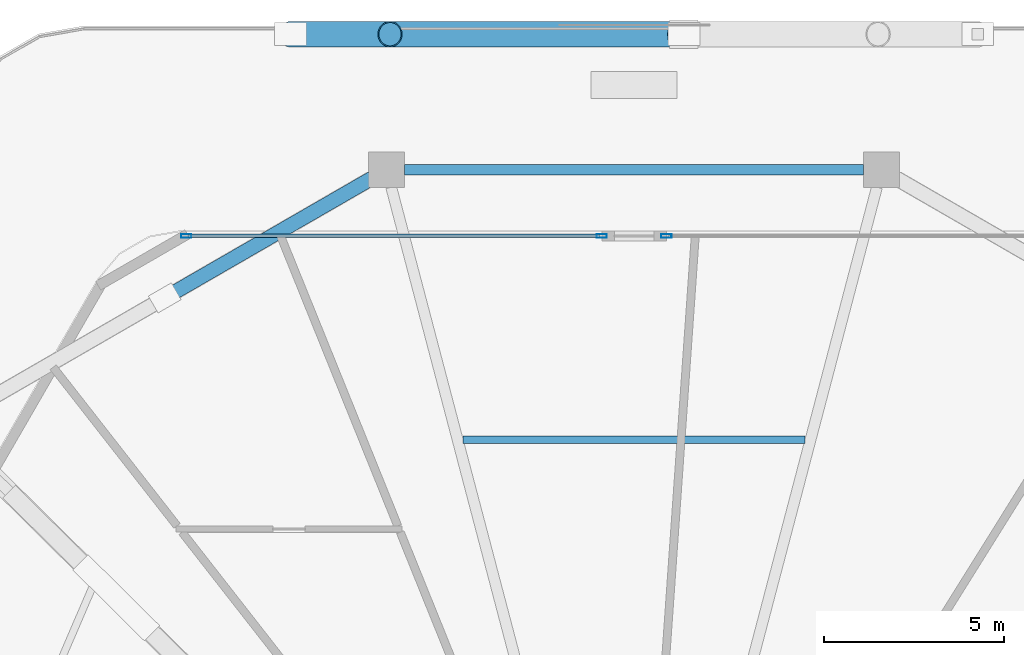
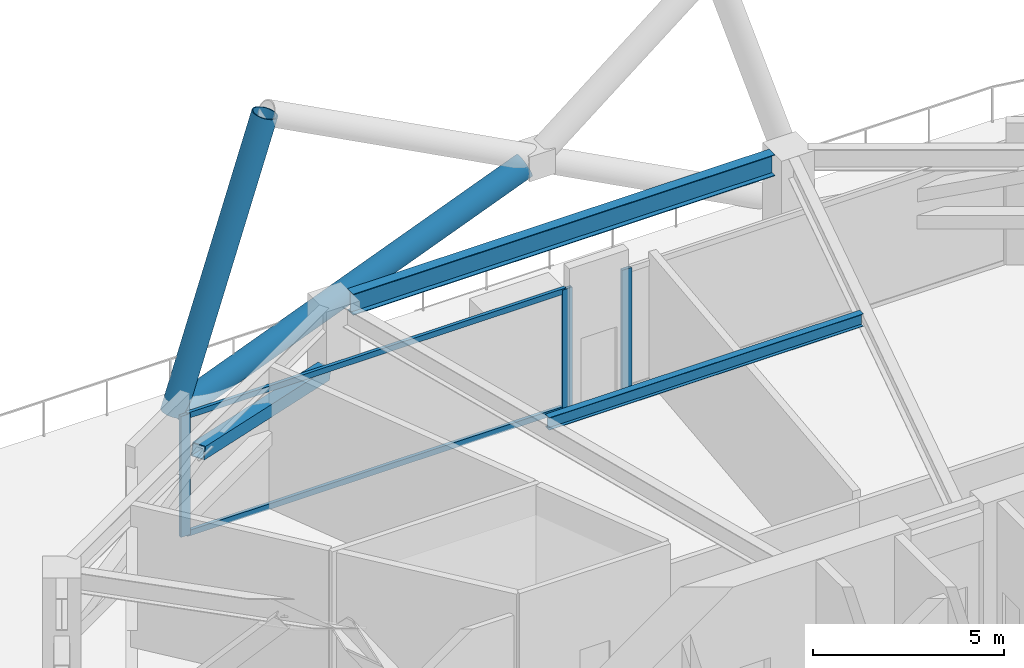
# One storey, part 8 of 20: 8 members, 2 beams, 2 elements without a shape of their own.
"""IFC4 building model written with IfcOpenShell, lengths in metres."""

import ifcopenshell
import ifcopenshell.guid

model = None  # the IFC model being written
_history = None  # IfcOwnerHistory: only IFC2X3 demands one
_inside = {}  # id of a spatial element -> (the spatial element, [elements in it])
_under = {}  # id of a project, library or spatial element -> (it, [spatial elements below it])
_declared = {}  # id of a project -> (the project, [libraries it declares])
_typed = {}  # id of a type object -> (the type object, [elements of that type])
_made_of = {}  # id of a material, layer set ... -> (it, [elements and type objects made of it])


def new_model(schema):
    """Start an empty IFC model of exactly this schema.

    Asked for "IFC4X3", IfcOpenShell would pick the latest addendum, in which some entities
    have other attributes; the version numbers below select the first issue.
    IFC2X3 requires an IfcOwnerHistory on every rooted entity: one is made here for all.
    """
    global model, _history
    if schema == "IFC4X3":
        model = ifcopenshell.file(schema_version=(4, 3, 0, 0))
    else:
        model = ifcopenshell.file(schema=schema)
    _inside.clear()
    _under.clear()
    _declared.clear()
    _typed.clear()
    _made_of.clear()
    _history = None
    if model.schema == "IFC2X3":
        org = make("IfcOrganization", Name="unknown")
        user = make(
            "IfcPersonAndOrganization",
            ThePerson=make("IfcPerson", FamilyName="unknown"),
            TheOrganization=org,
        )
        app = make(
            "IfcApplication",
            ApplicationDeveloper=org,
            Version="unknown",
            ApplicationFullName="unknown",
            ApplicationIdentifier="unknown",
        )
        _history = make(
            "IfcOwnerHistory",
            OwningUser=user,
            OwningApplication=app,
            ChangeAction="ADDED",
            CreationDate=0,
        )
    return model


def make(cls, **values):
    """One entity of the class cls with the attributes given. An attribute that is None is left unset."""
    return model.create_entity(
        cls, **{name: value for name, value in values.items() if value is not None}
    )


def rooted(cls, **values):
    """An entity with a GlobalId (a new one), such as an element, a storey or a relation."""
    return make(cls, GlobalId=ifcopenshell.guid.new(), OwnerHistory=_history, **values)


def si_unit(unit_type, name, prefix=None):
    """IfcSIUnit, for example si_unit("LENGTHUNIT", "METRE", prefix="MILLI")."""
    return make("IfcSIUnit", UnitType=unit_type, Prefix=prefix, Name=name)


def assignment(units):
    """IfcUnitAssignment: the units of a project."""
    return None if units is None else make("IfcUnitAssignment", Units=units)


def point(xyz):
    """IfcCartesianPoint."""
    return None if xyz is None else make("IfcCartesianPoint", Coordinates=xyz)


def direction(xyz):
    """IfcDirection."""
    return None if xyz is None else make("IfcDirection", DirectionRatios=xyz)


def frame(location, z_axis=None, x_axis=None):
    """IfcAxis2Placement3D, a coordinate frame: its origin and axes. An axis left out is left unset."""
    return make(
        "IfcAxis2Placement3D",
        Location=point(location),
        Axis=direction(z_axis),
        RefDirection=direction(x_axis),
    )


def frame_2d(location, x_axis=None):
    """IfcAxis2Placement2D, a coordinate frame in the plane: its origin and x axis."""
    return make(
        "IfcAxis2Placement2D", Location=point(location), RefDirection=direction(x_axis)
    )


def origin():
    """The frame at (0, 0, 0) with its axes left unset."""
    return frame((0.0, 0.0, 0.0))


def origin_2d():
    """The frame at (0, 0) in the plane with its x axis left unset."""
    return frame_2d((0.0, 0.0))


def place(relative_to, where):
    """IfcLocalPlacement: puts the frame where relative to a parent placement (None: the world)."""
    return make(
        "IfcLocalPlacement", PlacementRelTo=relative_to, RelativePlacement=where
    )


def context(
    kind, dimensions, precision=None, world=None, true_north=None, identifier=None
):
    """IfcGeometricRepresentationContext, for example the 3D "Model" context."""
    return make(
        "IfcGeometricRepresentationContext",
        ContextIdentifier=identifier,
        ContextType=kind,
        CoordinateSpaceDimension=dimensions,
        Precision=precision,
        WorldCoordinateSystem=world,
        TrueNorth=true_north,
    )


def subcontext(parent, identifier, kind, view, scale=None):
    """IfcGeometricRepresentationSubContext, for example "Body" below "Model"."""
    return make(
        "IfcGeometricRepresentationSubContext",
        ContextIdentifier=identifier,
        ContextType=kind,
        ParentContext=parent,
        TargetScale=scale,
        TargetView=view,
    )


def project(units=None, contexts=None):
    """IfcProject with its units and contexts."""
    return rooted(
        "IfcProject",
        Name="project",
        RepresentationContexts=contexts,
        UnitsInContext=assignment(units),
    )


def spatial(cls, under=None, at=None, **own):
    """A site, building, storey or space (cls), placed at a placement, below another one or the project."""
    s = rooted(cls, ObjectPlacement=at, **own)
    if under is not None:
        _under.setdefault(under.id(), (under, []))[1].append(s)
    return s


def profile(cls, at=None, kind="AREA", **sizes):
    """A parametric profile (cls). Its sizes go by their IFC names, for example OverallWidth=200.0."""
    return make(cls, ProfileType=kind, Position=at, **sizes)


def hollow_rectangle(**sizes):
    """IfcRectangleHollowProfileDef."""
    return profile("IfcRectangleHollowProfileDef", **sizes)


def hollow_circle(**sizes):
    """IfcCircleHollowProfileDef."""
    return profile("IfcCircleHollowProfileDef", **sizes)


def i_section(**sizes):
    """IfcIShapeProfileDef."""
    return profile("IfcIShapeProfileDef", **sizes)


def extrude(swept, where, along, depth):
    """IfcExtrudedAreaSolid: the profile swept, set in the frame where, extruded along a direction by depth."""
    return make(
        "IfcExtrudedAreaSolid",
        SweptArea=swept,
        Position=where,
        ExtrudedDirection=direction(along),
        Depth=depth,
    )


def shape(context_of_items, identifier, shape_type, items):
    """IfcShapeRepresentation: the items that make up one representation, for example the "Body"."""
    return make(
        "IfcShapeRepresentation",
        ContextOfItems=context_of_items,
        RepresentationIdentifier=identifier,
        RepresentationType=shape_type,
        Items=items,
    )


def material(Name=None, Category=None):
    """IfcMaterial."""
    return make("IfcMaterial", Name=Name, Category=Category)


def material_profile(
    of_material, cross_section, Name=None, Category=None, Priority=None
):
    """IfcMaterialProfile: a cross section and its material."""
    return make(
        "IfcMaterialProfile",
        Name=Name,
        Material=of_material,
        Profile=cross_section,
        Priority=Priority,
        Category=Category,
    )


def profile_set(profiles, Name=None, composite=None):
    """IfcMaterialProfileSet."""
    return make(
        "IfcMaterialProfileSet",
        Name=Name,
        MaterialProfiles=profiles,
        CompositeProfile=composite,
    )


def made_of(thing, what):
    """Note that an element or type object is made of a material, layer set ...; save() writes the relation."""
    if what is not None:
        _made_of.setdefault(what.id(), (what, []))[1].append(thing)
    return thing


def type_object(cls, material=None, **own):
    """A type object (cls), such as IfcWallType, which elements share."""
    return made_of(rooted(cls, **own), material)


def element(
    cls,
    number,
    at=None,
    inside=None,
    cuts=None,
    type_object=None,
    material=None,
    context=None,
    identifier="Body",
    shape_type=None,
    held_by="IfcProductDefinitionShape",
    body=None,
    shapes=None,
    **own,
):
    """One element of the class cls, such as IfcWall. Its Tag is "e" and its number.

    at: its placement. inside: the storey or other place that contains it. cuts: it is an
    opening in that element (IfcRelVoidsElement). A single representation is given by context,
    identifier, shape_type and body (its items); several are given by shapes. held_by: the class
    of the entity that holds the representations. save() writes the other relations.
    """
    e = rooted(cls, Tag="e%d" % number, ObjectPlacement=at, **own)
    if body is not None:
        shapes = [shape(context, identifier, shape_type, body)]
    if shapes is not None:
        e.Representation = make(held_by, Representations=shapes)
    if inside is not None:
        _inside.setdefault(inside.id(), (inside, []))[1].append(e)
    if cuts is not None:
        rooted(
            "IfcRelVoidsElement", RelatingBuildingElement=cuts, RelatedOpeningElement=e
        )
    if type_object is not None:
        _typed.setdefault(type_object.id(), (type_object, []))[1].append(e)
    return made_of(e, material)


def aggregate(whole, parts):
    """IfcRelAggregates: a whole, such as a stair, and the parts it consists of."""
    return rooted("IfcRelAggregates", RelatingObject=whole, RelatedObjects=parts)


def save(model, path):
    """Write the relations noted so far, then the file.

    IfcRelAggregates (storeys below a building ...), IfcRelContainedInSpatialStructure (elements
    in a storey), IfcRelDefinesByType, IfcRelAssociatesMaterial and IfcRelDeclares: one each for
    every whole, place, type object, material and project.
    """
    for whole, parts in _under.values():
        aggregate(whole, parts)
    for where, things in _inside.values():
        rooted(
            "IfcRelContainedInSpatialStructure",
            RelatedElements=things,
            RelatingStructure=where,
        )
    for kind, things in _typed.values():
        rooted("IfcRelDefinesByType", RelatedObjects=things, RelatingType=kind)
    for what, things in _made_of.values():
        rooted("IfcRelAssociatesMaterial", RelatedObjects=things, RelatingMaterial=what)
    for by, libraries in _declared.values():
        rooted("IfcRelDeclares", RelatingContext=by, RelatedDefinitions=libraries)
    model.write(path)


model = new_model("IFC4")

# Units and contexts
model_context = context("Model", 3, precision=1e-05, world=origin(), true_north=direction((0.0, 1.0)))
body_context = subcontext(model_context, "Body", "Model", "MODEL_VIEW")
ifc_project = project(units=[si_unit("LENGTHUNIT", "METRE"), si_unit("AREAUNIT", "SQUARE_METRE"), si_unit("VOLUMEUNIT", "CUBIC_METRE"), si_unit("PLANEANGLEUNIT", "RADIAN"), si_unit("MASSUNIT", "GRAM", prefix="KILO")], contexts=[model_context])

# Site, building, storey
site_placement = place(None, origin())
site = spatial("IfcSite", under=ifc_project, at=site_placement, CompositionType="ELEMENT")
building_placement = place(site_placement, origin())
building = spatial("IfcBuilding", under=site, at=building_placement, Name="Zuhravey Tower", CompositionType="ELEMENT")
storey_placement = place(building_placement, frame((0.0, 0.0, 145.60009765625)))
storey = spatial("IfcBuildingStorey", under=building, at=storey_placement, Name="L36", CompositionType="ELEMENT", Elevation=145.60009765625)

# Members
ifc_material_1 = material(Name="Steel SM355", Category="steel")
ifc_material_profile_1 = material_profile(ifc_material_1, hollow_rectangle(XDim=0.39990234375, YDim=0.39990234375, WallThickness=0.02490234375, at=origin_2d()), Name="RHS-400x400x25")
ifc_profile_set_1 = profile_set([ifc_material_profile_1], Name="Steel SM355")
member_type_1 = type_object("IfcMemberType", Name="Belt Truss Diagonal RHS400x400", PredefinedType="BRACE", material=ifc_profile_set_1)
member_1_placement = place(storey_placement, frame((28.66796875, 57.913330078125, 2.4931640625), z_axis=(-0.846250800757, -0.488578460172, 0.212486871299), x_axis=(0.499996417602, -0.866027472073, 0.0)))
element("IfcMember", 1, at=member_1_placement, inside=storey, type_object=member_type_1, Name="L36 Belt Truss Diagonal BTD1-03.1", PredefinedType="BRACE", context=body_context, shape_type="SweptSolid", body=[
    extrude(hollow_rectangle(XDim=0.39990234375, YDim=0.39990234375, WallThickness=0.02490234375, at=origin_2d()), origin(), (0.0, 0.0, 1.0), 6.736328125),
])
ifc_material_2 = material(Name="Steel SM460", Category="steel")
ifc_material_profile_2 = material_profile(ifc_material_2, hollow_circle(Radius=0.355712890625, WallThickness=0.031982421875, at=origin_2d()), Name="CHS-711.2x32")
ifc_profile_set_2 = profile_set([ifc_material_profile_2], Name="Steel SM460")
member_type_2 = type_object("IfcMemberType", Name="Exoskeleton Zone 2 Diagrid CHS711x32", PredefinedType="BRACE", material=ifc_profile_set_2)
member_2_placement = place(storey_placement, frame((26.451416015625, 61.943115234375, -0.47412109375), z_axis=(0.306022318215, 0.0, 0.95202433832), x_axis=(0.0, 1.0, 0.0)))
element("IfcMember", 2, at=member_2_placement, inside=storey, type_object=member_type_2, Name="L36 Face 2 Diagrid Brace 4", PredefinedType="BRACE", context=body_context, shape_type="SweptSolid", body=[
    extrude(hollow_circle(Radius=0.355712890625, WallThickness=0.031982421875, at=origin_2d()), origin(), (0.0, 0.0, 1.0), 9.02294921875),
])
member_3_placement = place(storey_placement, frame((26.48486328125, 61.943115234375, -0.478271484375), z_axis=(0.930283454604, 0.0, 0.36684151086), x_axis=(0.0, 1.0, 0.0)))
element("IfcMember", 3, at=member_3_placement, inside=storey, type_object=member_type_2, Name="L36 Face 2 Split Diagrid Brace 3A", PredefinedType="BRACE", context=body_context, shape_type="SweptSolid", body=[
    extrude(hollow_circle(Radius=0.355712890625, WallThickness=0.031982421875, at=origin_2d()), origin(), (0.0, 0.0, 1.0), 11.373779296875),
])

# Curtain wall, members
ifc_material_3 = material(Name="Thermally broken anodised aluminium", Category="aluminium")
curtain_wall_type = type_object("IfcCurtainWallType", Name="Sky-Garden Tray Clerestory Curtain Wall CW5", PredefinedType="NOTDEFINED", material=ifc_material_3)
curtain_wall_1_placement = place(storey_placement, origin())
curtain_wall_1 = element("IfcCurtainWall", 4, at=curtain_wall_1_placement, inside=storey, type_object=curtain_wall_type, Name="L36 CW5 CW-L36-F2-1", PredefinedType="NOTDEFINED")
ifc_material_4 = material(Name="Anodised aluminium", Category="aluminium")
ifc_material_profile_3 = material_profile(ifc_material_4, hollow_rectangle(XDim=0.10009765625, YDim=0.2900390625, WallThickness=0.006103515625, at=origin_2d()), Name="ALU-RHS-100x290x6")
ifc_profile_set_3 = profile_set([ifc_material_profile_3], Name="Anodised aluminium")
member_type_3 = type_object("IfcMemberType", Name="Heavy Tall-Storey Mullion 100x220", PredefinedType="MULLION", material=ifc_profile_set_3)
member_4_placement = place(storey_placement, frame((23.545654296875, 56.3330078125, 0.0), z_axis=(0.0, 0.0, 1.0), x_axis=(0.0, 1.0, 0.0)))
member_4 = element("IfcMember", 5, at=member_4_placement, type_object=member_type_3, Name="CW5 mullion 1", PredefinedType="MULLION", context=body_context, shape_type="SweptSolid", body=[
    extrude(hollow_rectangle(XDim=0.10009765625, YDim=0.2900390625, WallThickness=0.006103515625, at=origin_2d()), origin(), (0.0, 0.0, 1.0), 3.869873046875),
])
member_5_placement = place(storey_placement, frame((35.10009765625, 56.3330078125, 0.0), z_axis=(0.0, 0.0, 1.0), x_axis=(0.0, 1.0, 0.0)))
member_5 = element("IfcMember", 6, at=member_5_placement, type_object=member_type_3, Name="CW5 mullion 2", PredefinedType="MULLION", context=body_context, shape_type="SweptSolid", body=[
    extrude(hollow_rectangle(XDim=0.10009765625, YDim=0.2900390625, WallThickness=0.006103515625, at=origin_2d()), origin(), (0.0, 0.0, 1.0), 3.869873046875),
])

# Curtain wall, member
curtain_wall_2_placement = place(storey_placement, origin())
curtain_wall_2 = element("IfcCurtainWall", 7, at=curtain_wall_2_placement, inside=storey, type_object=curtain_wall_type, Name="L36 CW5 CW-L36-F2-2", PredefinedType="NOTDEFINED")
member_6_placement = place(storey_placement, frame((36.89990234375, 56.3330078125, 0.0), z_axis=(0.0, 0.0, 1.0), x_axis=(0.0, 1.0, 0.0)))
member_6 = element("IfcMember", 8, at=member_6_placement, type_object=member_type_3, Name="CW5 mullion 1", PredefinedType="MULLION", context=body_context, shape_type="SweptSolid", body=[
    extrude(hollow_rectangle(XDim=0.10009765625, YDim=0.2900390625, WallThickness=0.006103515625, at=origin_2d()), origin(), (0.0, 0.0, 1.0), 3.869873046875),
])
aggregate(curtain_wall_2, [member_6])

# Beams
ifc_material_profile_4 = material_profile(ifc_material_1, i_section(OverallWidth=0.300048828125, OverallDepth=0.679931640625, WebThickness=0.012939453125, FlangeThickness=0.02197265625, at=origin_2d()), Name="H-680x300x13x22")
ifc_profile_set_4 = profile_set([ifc_material_profile_4], Name="Steel SM355")
beam_type_1 = type_object("IfcBeamType", Name="Perimeter Ring Beam H680x300", PredefinedType="BEAM", material=ifc_profile_set_4)
beam_1_placement = place(storey_placement, frame((42.37890625, 58.173095703125, 4.2099609375), z_axis=(-1.0, 0.0, 0.0), x_axis=(0.0, -1.0, 0.0)))
element("IfcBeam", 9, at=beam_1_placement, inside=storey, type_object=beam_type_1, Name="L36 PB2 BM-L36-PB-03", PredefinedType="BEAM", context=body_context, shape_type="SweptSolid", body=[
    extrude(i_section(OverallWidth=0.300048828125, OverallDepth=0.679931640625, WebThickness=0.012939453125, FlangeThickness=0.02197265625, at=origin_2d()), origin(), (0.0, 0.0, 1.0), 12.7578125),
])
ifc_material_profile_5 = material_profile(ifc_material_1, i_section(OverallWidth=0.199951171875, OverallDepth=0.39990234375, WebThickness=0.008056640625, FlangeThickness=0.012939453125, at=origin_2d()), Name="H-400x200x8x13")
ifc_profile_set_5 = profile_set([ifc_material_profile_5], Name="Steel SM355")
beam_type_2 = type_object("IfcBeamType", Name="Secondary Floor Joist H400x200", PredefinedType="JOIST", material=ifc_profile_set_5)
beam_2_placement = place(storey_placement, frame((40.754150390625, 50.665771484375, 4.349853515625), z_axis=(-1.0, 0.0, 0.0), x_axis=(0.0, -1.0, 0.0)))
element("IfcBeam", 10, at=beam_2_placement, inside=storey, type_object=beam_type_2, Name="L36 SJ2 BM-L36-SJ-03-1", PredefinedType="JOIST", context=body_context, shape_type="SweptSolid", body=[
    extrude(i_section(OverallWidth=0.199951171875, OverallDepth=0.39990234375, WebThickness=0.008056640625, FlangeThickness=0.012939453125, at=origin_2d()), origin(), (0.0, 0.0, 1.0), 9.50830078125),
])

# Member
ifc_material_profile_6 = material_profile(ifc_material_4, hollow_rectangle(XDim=0.10009765625, YDim=0.179931640625, WallThickness=0.006103515625, at=origin_2d()), Name="ALU-RHS-100x180x6")
ifc_profile_set_6 = profile_set([ifc_material_profile_6], Name="Anodised aluminium")
member_type_4 = type_object("IfcMemberType", Name="Tall-Storey Transom 100x180", PredefinedType="USERDEFINED", material=ifc_profile_set_6)
member_7_placement = place(storey_placement, frame((23.595703125, 56.3330078125, 0.0498046875), z_axis=(1.0, 0.0, 0.0), x_axis=(0.0, 1.0, 0.0)))
member_7 = element("IfcMember", 11, at=member_7_placement, type_object=member_type_4, Name="CW5 transom 1.1", ObjectType="TRANSOM", PredefinedType="USERDEFINED", context=body_context, shape_type="SweptSolid", body=[
    extrude(hollow_rectangle(XDim=0.10009765625, YDim=0.179931640625, WallThickness=0.006103515625, at=origin_2d()), origin(), (0.0, 0.0, 1.0), 11.454345703125),
])

member_8_placement = place(storey_placement, frame((23.595703125, 56.3330078125, 3.81982421875), z_axis=(1.0, 0.0, 0.0), x_axis=(0.0, 1.0, 0.0)))
member_8 = element("IfcMember", 12, at=member_8_placement, type_object=member_type_4, Name="CW5 transom 1.2", ObjectType="TRANSOM", PredefinedType="USERDEFINED", context=body_context, shape_type="SweptSolid", body=[
    extrude(hollow_rectangle(XDim=0.10009765625, YDim=0.179931640625, WallThickness=0.006103515625, at=origin_2d()), origin(), (0.0, 0.0, 1.0), 11.454345703125),
])

aggregate(curtain_wall_1, [member_4, member_5, member_7, member_8])

save(model, "model.ifc")
